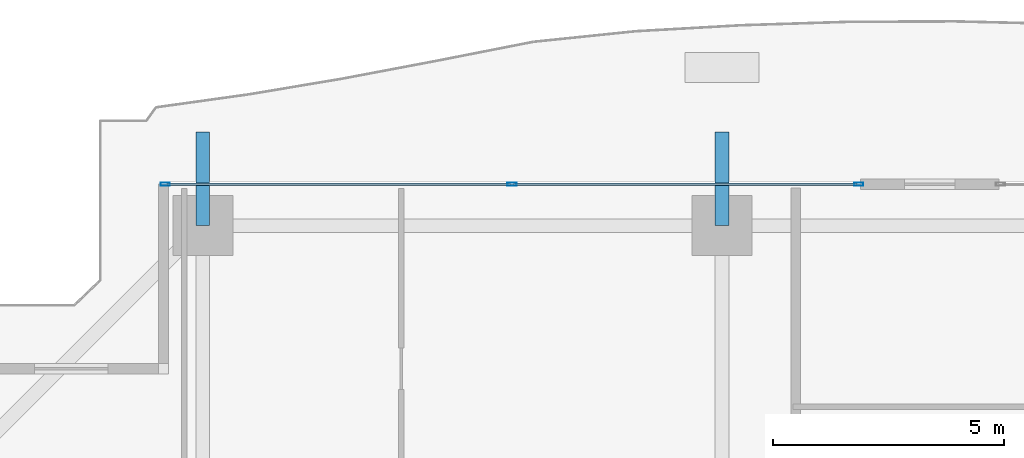
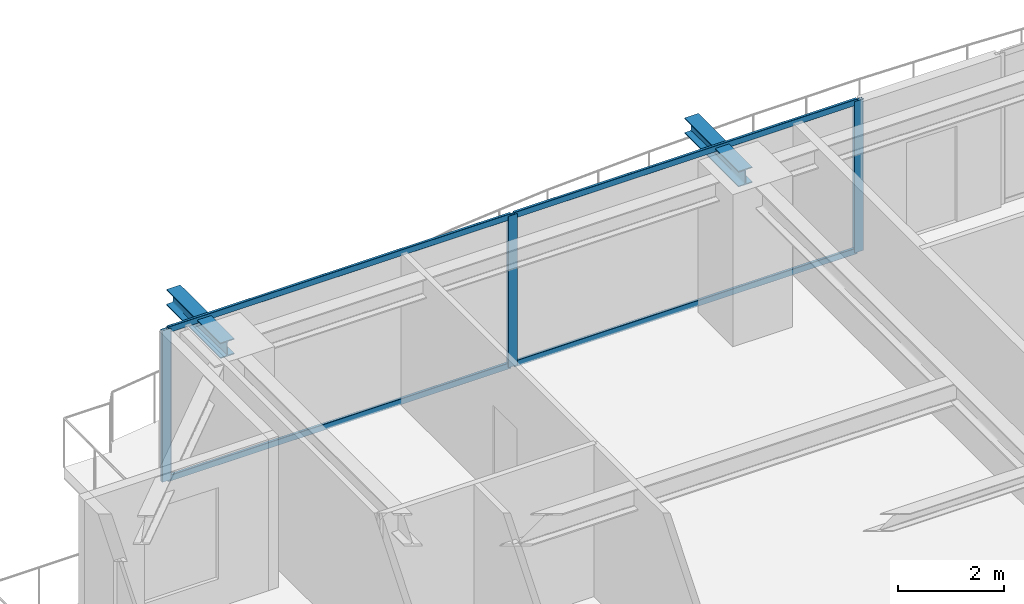
# One storey, part 21 of 37: 7 members, 2 beams, 1 element without a shape of its own.
"""IFC4 building model written with IfcOpenShell, lengths in metres."""

import ifcopenshell
import ifcopenshell.guid

model = None  # the IFC model being written
_history = None  # IfcOwnerHistory: only IFC2X3 demands one
_inside = {}  # id of a spatial element -> (the spatial element, [elements in it])
_under = {}  # id of a project, library or spatial element -> (it, [spatial elements below it])
_declared = {}  # id of a project -> (the project, [libraries it declares])
_typed = {}  # id of a type object -> (the type object, [elements of that type])
_made_of = {}  # id of a material, layer set ... -> (it, [elements and type objects made of it])


def new_model(schema):
    """Start an empty IFC model of exactly this schema.

    Asked for "IFC4X3", IfcOpenShell would pick the latest addendum, in which some entities
    have other attributes; the version numbers below select the first issue.
    IFC2X3 requires an IfcOwnerHistory on every rooted entity: one is made here for all.
    """
    global model, _history
    if schema == "IFC4X3":
        model = ifcopenshell.file(schema_version=(4, 3, 0, 0))
    else:
        model = ifcopenshell.file(schema=schema)
    _inside.clear()
    _under.clear()
    _declared.clear()
    _typed.clear()
    _made_of.clear()
    _history = None
    if model.schema == "IFC2X3":
        org = make("IfcOrganization", Name="unknown")
        user = make(
            "IfcPersonAndOrganization",
            ThePerson=make("IfcPerson", FamilyName="unknown"),
            TheOrganization=org,
        )
        app = make(
            "IfcApplication",
            ApplicationDeveloper=org,
            Version="unknown",
            ApplicationFullName="unknown",
            ApplicationIdentifier="unknown",
        )
        _history = make(
            "IfcOwnerHistory",
            OwningUser=user,
            OwningApplication=app,
            ChangeAction="ADDED",
            CreationDate=0,
        )
    return model


def make(cls, **values):
    """One entity of the class cls with the attributes given. An attribute that is None is left unset."""
    return model.create_entity(
        cls, **{name: value for name, value in values.items() if value is not None}
    )


def rooted(cls, **values):
    """An entity with a GlobalId (a new one), such as an element, a storey or a relation."""
    return make(cls, GlobalId=ifcopenshell.guid.new(), OwnerHistory=_history, **values)


def si_unit(unit_type, name, prefix=None):
    """IfcSIUnit, for example si_unit("LENGTHUNIT", "METRE", prefix="MILLI")."""
    return make("IfcSIUnit", UnitType=unit_type, Prefix=prefix, Name=name)


def assignment(units):
    """IfcUnitAssignment: the units of a project."""
    return None if units is None else make("IfcUnitAssignment", Units=units)


def point(xyz):
    """IfcCartesianPoint."""
    return None if xyz is None else make("IfcCartesianPoint", Coordinates=xyz)


def direction(xyz):
    """IfcDirection."""
    return None if xyz is None else make("IfcDirection", DirectionRatios=xyz)


def frame(location, z_axis=None, x_axis=None):
    """IfcAxis2Placement3D, a coordinate frame: its origin and axes. An axis left out is left unset."""
    return make(
        "IfcAxis2Placement3D",
        Location=point(location),
        Axis=direction(z_axis),
        RefDirection=direction(x_axis),
    )


def frame_2d(location, x_axis=None):
    """IfcAxis2Placement2D, a coordinate frame in the plane: its origin and x axis."""
    return make(
        "IfcAxis2Placement2D", Location=point(location), RefDirection=direction(x_axis)
    )


def origin():
    """The frame at (0, 0, 0) with its axes left unset."""
    return frame((0.0, 0.0, 0.0))


def origin_2d():
    """The frame at (0, 0) in the plane with its x axis left unset."""
    return frame_2d((0.0, 0.0))


def place(relative_to, where):
    """IfcLocalPlacement: puts the frame where relative to a parent placement (None: the world)."""
    return make(
        "IfcLocalPlacement", PlacementRelTo=relative_to, RelativePlacement=where
    )


def context(
    kind, dimensions, precision=None, world=None, true_north=None, identifier=None
):
    """IfcGeometricRepresentationContext, for example the 3D "Model" context."""
    return make(
        "IfcGeometricRepresentationContext",
        ContextIdentifier=identifier,
        ContextType=kind,
        CoordinateSpaceDimension=dimensions,
        Precision=precision,
        WorldCoordinateSystem=world,
        TrueNorth=true_north,
    )


def subcontext(parent, identifier, kind, view, scale=None):
    """IfcGeometricRepresentationSubContext, for example "Body" below "Model"."""
    return make(
        "IfcGeometricRepresentationSubContext",
        ContextIdentifier=identifier,
        ContextType=kind,
        ParentContext=parent,
        TargetScale=scale,
        TargetView=view,
    )


def project(units=None, contexts=None):
    """IfcProject with its units and contexts."""
    return rooted(
        "IfcProject",
        Name="project",
        RepresentationContexts=contexts,
        UnitsInContext=assignment(units),
    )


def spatial(cls, under=None, at=None, **own):
    """A site, building, storey or space (cls), placed at a placement, below another one or the project."""
    s = rooted(cls, ObjectPlacement=at, **own)
    if under is not None:
        _under.setdefault(under.id(), (under, []))[1].append(s)
    return s


def profile(cls, at=None, kind="AREA", **sizes):
    """A parametric profile (cls). Its sizes go by their IFC names, for example OverallWidth=200.0."""
    return make(cls, ProfileType=kind, Position=at, **sizes)


def hollow_rectangle(**sizes):
    """IfcRectangleHollowProfileDef."""
    return profile("IfcRectangleHollowProfileDef", **sizes)


def i_section(**sizes):
    """IfcIShapeProfileDef."""
    return profile("IfcIShapeProfileDef", **sizes)


def extrude(swept, where, along, depth):
    """IfcExtrudedAreaSolid: the profile swept, set in the frame where, extruded along a direction by depth."""
    return make(
        "IfcExtrudedAreaSolid",
        SweptArea=swept,
        Position=where,
        ExtrudedDirection=direction(along),
        Depth=depth,
    )


def shape(context_of_items, identifier, shape_type, items):
    """IfcShapeRepresentation: the items that make up one representation, for example the "Body"."""
    return make(
        "IfcShapeRepresentation",
        ContextOfItems=context_of_items,
        RepresentationIdentifier=identifier,
        RepresentationType=shape_type,
        Items=items,
    )


def source(mapping_origin, context_of_items, identifier, shape_type, items):
    """IfcRepresentationMap: a shape defined once, which mapped items show again and again."""
    return make(
        "IfcRepresentationMap",
        MappingOrigin=mapping_origin,
        MappedRepresentation=shape(context_of_items, identifier, shape_type, items),
    )


def transform(
    local_origin,
    x_axis=None,
    y_axis=None,
    z_axis=None,
    scale=None,
    scale2=None,
    scale3=None,
    uniform=True,
):
    """IfcCartesianTransformationOperator3D, or its non-uniform kind. x_axis, y_axis, z_axis: its Axis1, 2, 3."""
    if uniform:
        return make(
            "IfcCartesianTransformationOperator3D",
            Axis1=direction(x_axis),
            Axis2=direction(y_axis),
            LocalOrigin=point(local_origin),
            Scale=scale,
            Axis3=direction(z_axis),
        )
    return make(
        "IfcCartesianTransformationOperator3DnonUniform",
        Axis1=direction(x_axis),
        Axis2=direction(y_axis),
        LocalOrigin=point(local_origin),
        Scale=scale,
        Axis3=direction(z_axis),
        Scale2=scale2,
        Scale3=scale3,
    )


def mapped(mapping_source, mapping_target):
    """IfcMappedItem: shows the shape of a source again, moved by a transform."""
    return make(
        "IfcMappedItem", MappingSource=mapping_source, MappingTarget=mapping_target
    )


def material(Name=None, Category=None):
    """IfcMaterial."""
    return make("IfcMaterial", Name=Name, Category=Category)


def layer(
    of_material, thickness, ventilated=None, Name=None, Category=None, Priority=None
):
    """IfcMaterialLayer: one layer of a wall or slab, of a material (None: an air gap)."""
    return make(
        "IfcMaterialLayer",
        Material=of_material,
        LayerThickness=thickness,
        IsVentilated=ventilated,
        Name=Name,
        Category=Category,
        Priority=Priority,
    )


def layer_set(layers, Name=None):
    """IfcMaterialLayerSet."""
    return make("IfcMaterialLayerSet", MaterialLayers=layers, LayerSetName=Name)


def material_profile(
    of_material, cross_section, Name=None, Category=None, Priority=None
):
    """IfcMaterialProfile: a cross section and its material."""
    return make(
        "IfcMaterialProfile",
        Name=Name,
        Material=of_material,
        Profile=cross_section,
        Priority=Priority,
        Category=Category,
    )


def profile_set(profiles, Name=None, composite=None):
    """IfcMaterialProfileSet."""
    return make(
        "IfcMaterialProfileSet",
        Name=Name,
        MaterialProfiles=profiles,
        CompositeProfile=composite,
    )


def made_of(thing, what):
    """Note that an element or type object is made of a material, layer set ...; save() writes the relation."""
    if what is not None:
        _made_of.setdefault(what.id(), (what, []))[1].append(thing)
    return thing


def type_object(cls, material=None, **own):
    """A type object (cls), such as IfcWallType, which elements share."""
    return made_of(rooted(cls, **own), material)


def element(
    cls,
    number,
    at=None,
    inside=None,
    cuts=None,
    type_object=None,
    material=None,
    context=None,
    identifier="Body",
    shape_type=None,
    held_by="IfcProductDefinitionShape",
    body=None,
    shapes=None,
    **own,
):
    """One element of the class cls, such as IfcWall. Its Tag is "e" and its number.

    at: its placement. inside: the storey or other place that contains it. cuts: it is an
    opening in that element (IfcRelVoidsElement). A single representation is given by context,
    identifier, shape_type and body (its items); several are given by shapes. held_by: the class
    of the entity that holds the representations. save() writes the other relations.
    """
    e = rooted(cls, Tag="e%d" % number, ObjectPlacement=at, **own)
    if body is not None:
        shapes = [shape(context, identifier, shape_type, body)]
    if shapes is not None:
        e.Representation = make(held_by, Representations=shapes)
    if inside is not None:
        _inside.setdefault(inside.id(), (inside, []))[1].append(e)
    if cuts is not None:
        rooted(
            "IfcRelVoidsElement", RelatingBuildingElement=cuts, RelatedOpeningElement=e
        )
    if type_object is not None:
        _typed.setdefault(type_object.id(), (type_object, []))[1].append(e)
    return made_of(e, material)


def aggregate(whole, parts):
    """IfcRelAggregates: a whole, such as a stair, and the parts it consists of."""
    return rooted("IfcRelAggregates", RelatingObject=whole, RelatedObjects=parts)


def save(model, path):
    """Write the relations noted so far, then the file.

    IfcRelAggregates (storeys below a building ...), IfcRelContainedInSpatialStructure (elements
    in a storey), IfcRelDefinesByType, IfcRelAssociatesMaterial and IfcRelDeclares: one each for
    every whole, place, type object, material and project.
    """
    for whole, parts in _under.values():
        aggregate(whole, parts)
    for where, things in _inside.values():
        rooted(
            "IfcRelContainedInSpatialStructure",
            RelatedElements=things,
            RelatingStructure=where,
        )
    for kind, things in _typed.values():
        rooted("IfcRelDefinesByType", RelatedObjects=things, RelatingType=kind)
    for what, things in _made_of.values():
        rooted("IfcRelAssociatesMaterial", RelatedObjects=things, RelatingMaterial=what)
    for by, libraries in _declared.values():
        rooted("IfcRelDeclares", RelatingContext=by, RelatedDefinitions=libraries)
    model.write(path)


model = new_model("IFC4")

# Units and contexts
model_context = context("Model", 3, precision=1e-05, world=origin(), true_north=direction((0.0, 1.0)))
body_context = subcontext(model_context, "Body", "Model", "MODEL_VIEW")
ifc_project = project(units=[si_unit("LENGTHUNIT", "METRE"), si_unit("AREAUNIT", "SQUARE_METRE"), si_unit("VOLUMEUNIT", "CUBIC_METRE"), si_unit("PLANEANGLEUNIT", "RADIAN"), si_unit("MASSUNIT", "GRAM", prefix="KILO")], contexts=[model_context])

# Site, building, storey
site_placement = place(None, origin())
site = spatial("IfcSite", under=ifc_project, at=site_placement, CompositionType="ELEMENT")
building_placement = place(site_placement, origin())
building = spatial("IfcBuilding", under=site, at=building_placement, Name="Serunith Strait Residences", CompositionType="ELEMENT")
storey_placement = place(building_placement, frame((0.0, 0.0, 138.89990234375)))
storey = spatial("IfcBuildingStorey", under=building, at=storey_placement, Name="L34", CompositionType="ELEMENT", Elevation=138.89990234375)

# Beams
ifc_material_1 = material(Name="Steel S355J2", Category="steel")
ifc_material_profile_1 = material_profile(ifc_material_1, i_section(OverallWidth=0.300048828125, OverallDepth=0.360107421875, WebThickness=0.012451171875, FlangeThickness=0.0224609375, FilletRadius=0.027099609375, at=origin_2d()), Name="HEB 360")
ifc_profile_set_1 = profile_set([ifc_material_profile_1], Name="Steel S355J2")
beam_type = type_object("IfcBeamType", Name="BM-HEB360", PredefinedType="BEAM", material=ifc_profile_set_1)
shared_shape_1 = source(origin(), body_context, "Body", "SweptSolid", [
    extrude(i_section(OverallWidth=0.300048828125, OverallDepth=0.360107421875, WebThickness=0.012451171875, FlangeThickness=0.0224609375, FilletRadius=0.027099609375, at=origin_2d()), origin(), (0.0, 0.0, 1.0), 2.02978515625),
])
for number, where, z_axis, x_axis, name in (
    (1, (16.64990234375, 48.10009765625, 3.277099609375), (0.0, 1.0, 0.0), (-1.0, 0.0, 0.0), "L35 Cantilevered Balcony Rib TC-N1"),
    (2, (27.89990234375, 48.10009765625, 3.277099609375), (0.0, 1.0, 0.0), (-1.0, 0.0, 0.0), "L35 Cantilevered Balcony Rib TC-N2"),
):
    element("IfcBeam", number, at=place(storey_placement, frame(where, z_axis=z_axis, x_axis=x_axis)), inside=storey, type_object=beam_type, Name=name, PredefinedType="BEAM", context=body_context, shape_type="MappedRepresentation", body=[
        mapped(shared_shape_1, transform((0.0, 0.0, 0.0), scale=1.0)),
    ])

# Curtain wall, members
ifc_material_2 = material(Name="Pale-Champagne Anodised Aluminium", Category="aluminium")
ifc_layer = layer(ifc_material_2, 0.199951171875, Name="Pale-Champagne Anodised Aluminium")
ifc_layer_set = layer_set([ifc_layer], Name="Pale-Champagne Anodised Aluminium")
curtain_wall_type = type_object("IfcCurtainWallType", Name="CW-SYS2", PredefinedType="NOTDEFINED", material=ifc_layer_set)
curtain_wall_placement = place(storey_placement, origin())
curtain_wall = element("IfcCurtainWall", 3, at=curtain_wall_placement, inside=storey, type_object=curtain_wall_type, Name="L34 N Unitised Fritted Curtain Wall", PredefinedType="NOTDEFINED")
ifc_material_profile_2 = material_profile(ifc_material_2, hollow_rectangle(XDim=0.070068359375, YDim=0.199951171875, WallThickness=0.00390625, InnerFilletRadius=0.006103515625, OuterFilletRadius=0.010009765625, at=origin_2d()), Name="ALU 200x70x4")
ifc_profile_set_2 = profile_set([ifc_material_profile_2], Name="Pale-Champagne Anodised Aluminium")
member_type_1 = type_object("IfcMemberType", Name="CW-SYS2-MULL", PredefinedType="MULLION", material=ifc_profile_set_2)
shared_shape_2 = source(origin(), body_context, "Body", "SweptSolid", [
    extrude(hollow_rectangle(XDim=0.070068359375, YDim=0.199951171875, WallThickness=0.00390625, InnerFilletRadius=0.006103515625, OuterFilletRadius=0.010009765625, at=origin_2d()), origin(), (0.0, 0.0, 1.0), 3.47509765625),
])
member_1_placement = place(storey_placement, frame((30.864990234375, 49.0, 0.0), z_axis=(0.0, 0.0, 1.0), x_axis=(0.0, -1.0, 0.0)))
member_1 = element("IfcMember", 4, at=member_1_placement, type_object=member_type_1, Name="CW-2 mullion 1", PredefinedType="MULLION", context=body_context, shape_type="MappedRepresentation", body=[
    mapped(shared_shape_2, transform((0.0, 0.0, 0.0), scale=1.0)),
])
member_2_placement = place(storey_placement, frame((23.35009765625, 49.0, 0.0), z_axis=(0.0, 0.0, 1.0), x_axis=(0.0, -1.0, 0.0)))
member_2 = element("IfcMember", 5, at=member_2_placement, type_object=member_type_1, Name="CW-2 mullion 2", PredefinedType="MULLION", context=body_context, shape_type="MappedRepresentation", body=[
    mapped(shared_shape_2, transform((0.0, 0.0, 0.0), scale=1.0)),
])
member_3_placement = place(storey_placement, frame((15.8349609375, 49.0, 0.0), z_axis=(0.0, 0.0, 1.0), x_axis=(0.0, -1.0, 0.0)))
member_3 = element("IfcMember", 6, at=member_3_placement, type_object=member_type_1, Name="CW-2 mullion 3", PredefinedType="MULLION", context=body_context, shape_type="MappedRepresentation", body=[
    mapped(shared_shape_2, transform((0.0, 0.0, 0.0), scale=1.0)),
])
ifc_material_profile_3 = material_profile(ifc_material_2, hollow_rectangle(XDim=0.06005859375, YDim=0.139892578125, WallThickness=0.00341796875, InnerFilletRadius=0.00537109375, OuterFilletRadius=0.0087890625, at=origin_2d()), Name="ALU 140x60x3.5")
ifc_profile_set_3 = profile_set([ifc_material_profile_3], Name="Pale-Champagne Anodised Aluminium")
member_type_2 = type_object("IfcMemberType", Name="CW-SYS2-TRAN", PredefinedType="USERDEFINED", material=ifc_profile_set_3)
shared_shape_3 = source(origin(), body_context, "Body", "SweptSolid", [
    extrude(hollow_rectangle(XDim=0.06005859375, YDim=0.139892578125, WallThickness=0.00341796875, InnerFilletRadius=0.00537109375, OuterFilletRadius=0.0087890625, at=origin_2d()), origin(), (0.0, 0.0, 1.0), 7.44482421875),
])
member_4_placement = place(storey_placement, frame((23.31494140625, 49.0, 0.030029296875), z_axis=(-1.0, 0.0, 0.0), x_axis=(0.0, -1.0, 0.0)))
member_4 = element("IfcMember", 7, at=member_4_placement, type_object=member_type_2, Name="CW-2 transom 2.1", ObjectType="TRANSOM", PredefinedType="USERDEFINED", context=body_context, shape_type="MappedRepresentation", body=[
    mapped(shared_shape_3, transform((0.0, 0.0, 0.0), scale=1.0)),
])
member_5_placement = place(storey_placement, frame((23.31494140625, 49.0, 3.445068359375), z_axis=(-1.0, 0.0, 0.0), x_axis=(0.0, -1.0, 0.0)))
member_5 = element("IfcMember", 8, at=member_5_placement, type_object=member_type_2, Name="CW-2 transom 2.2", ObjectType="TRANSOM", PredefinedType="USERDEFINED", context=body_context, shape_type="MappedRepresentation", body=[
    mapped(shared_shape_3, transform((0.0, 0.0, 0.0), scale=1.0)),
])
shared_shape_4 = source(origin(), body_context, "Body", "SweptSolid", [
    extrude(hollow_rectangle(XDim=0.06005859375, YDim=0.139892578125, WallThickness=0.00341796875, InnerFilletRadius=0.00537109375, OuterFilletRadius=0.0087890625, at=origin_2d()), origin(), (0.0, 0.0, 1.0), 7.445068359375),
])
member_6_placement = place(storey_placement, frame((30.830078125, 49.0, 0.030029296875), z_axis=(-1.0, 0.0, 0.0), x_axis=(0.0, -1.0, 0.0)))
member_6 = element("IfcMember", 9, at=member_6_placement, type_object=member_type_2, Name="CW-2 transom 1.1", ObjectType="TRANSOM", PredefinedType="USERDEFINED", context=body_context, shape_type="MappedRepresentation", body=[
    mapped(shared_shape_4, transform((0.0, 0.0, 0.0), scale=1.0)),
])
member_7_placement = place(storey_placement, frame((30.830078125, 49.0, 3.445068359375), z_axis=(-1.0, 0.0, 0.0), x_axis=(0.0, -1.0, 0.0)))
member_7 = element("IfcMember", 10, at=member_7_placement, type_object=member_type_2, Name="CW-2 transom 1.2", ObjectType="TRANSOM", PredefinedType="USERDEFINED", context=body_context, shape_type="MappedRepresentation", body=[
    mapped(shared_shape_4, transform((0.0, 0.0, 0.0), scale=1.0)),
])
aggregate(curtain_wall, [member_1, member_2, member_3, member_6, member_7, member_4, member_5])

save(model, "model.ifc")
